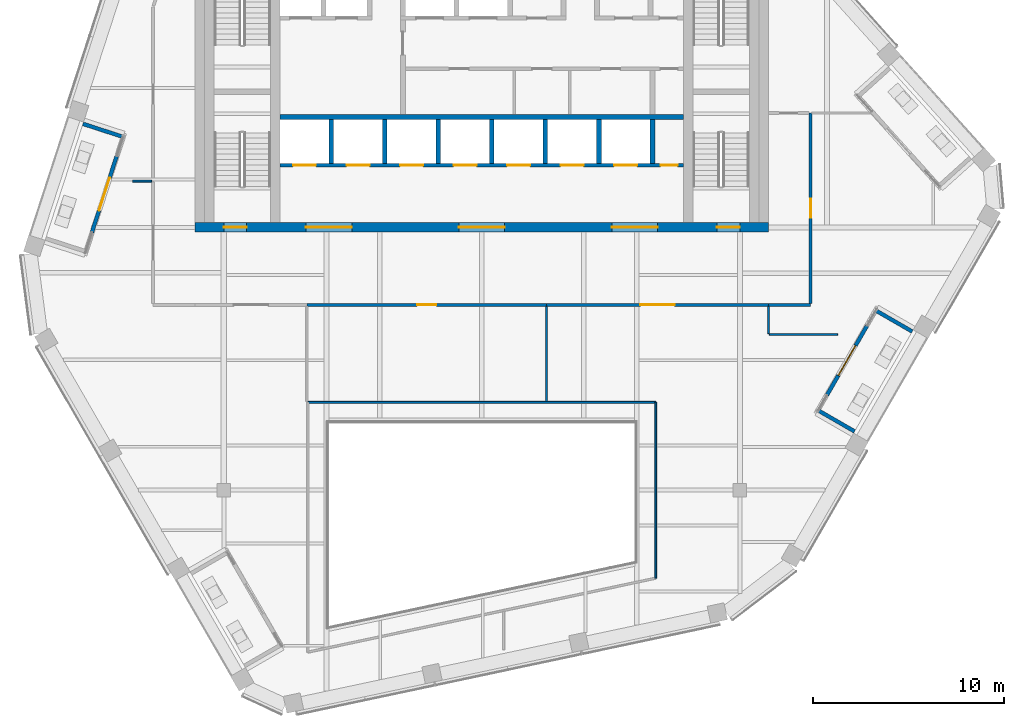
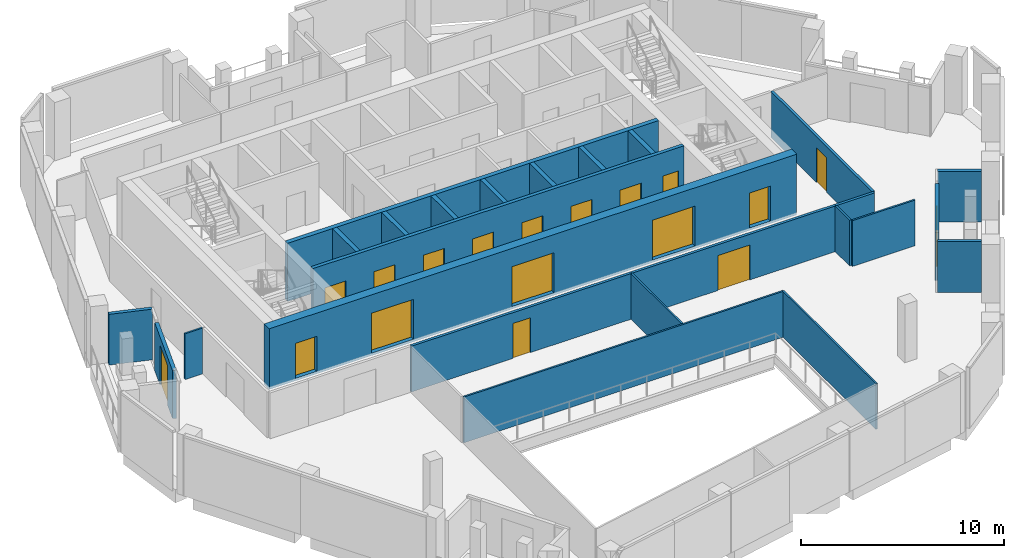
# One storey, part 11 of 20: 25 walls, 18 doors, 18 openings.
"""IFC4 building model written with IfcOpenShell, lengths in metres."""

import ifcopenshell
import ifcopenshell.guid

model = None  # the IFC model being written
_history = None  # IfcOwnerHistory: only IFC2X3 demands one
_inside = {}  # id of a spatial element -> (the spatial element, [elements in it])
_under = {}  # id of a project, library or spatial element -> (it, [spatial elements below it])
_declared = {}  # id of a project -> (the project, [libraries it declares])
_typed = {}  # id of a type object -> (the type object, [elements of that type])
_made_of = {}  # id of a material, layer set ... -> (it, [elements and type objects made of it])


def new_model(schema):
    """Start an empty IFC model of exactly this schema.

    Asked for "IFC4X3", IfcOpenShell would pick the latest addendum, in which some entities
    have other attributes; the version numbers below select the first issue.
    IFC2X3 requires an IfcOwnerHistory on every rooted entity: one is made here for all.
    """
    global model, _history
    if schema == "IFC4X3":
        model = ifcopenshell.file(schema_version=(4, 3, 0, 0))
    else:
        model = ifcopenshell.file(schema=schema)
    _inside.clear()
    _under.clear()
    _declared.clear()
    _typed.clear()
    _made_of.clear()
    _history = None
    if model.schema == "IFC2X3":
        org = make("IfcOrganization", Name="unknown")
        user = make(
            "IfcPersonAndOrganization",
            ThePerson=make("IfcPerson", FamilyName="unknown"),
            TheOrganization=org,
        )
        app = make(
            "IfcApplication",
            ApplicationDeveloper=org,
            Version="unknown",
            ApplicationFullName="unknown",
            ApplicationIdentifier="unknown",
        )
        _history = make(
            "IfcOwnerHistory",
            OwningUser=user,
            OwningApplication=app,
            ChangeAction="ADDED",
            CreationDate=0,
        )
    return model


def make(cls, **values):
    """One entity of the class cls with the attributes given. An attribute that is None is left unset."""
    return model.create_entity(
        cls, **{name: value for name, value in values.items() if value is not None}
    )


def rooted(cls, **values):
    """An entity with a GlobalId (a new one), such as an element, a storey or a relation."""
    return make(cls, GlobalId=ifcopenshell.guid.new(), OwnerHistory=_history, **values)


def si_unit(unit_type, name, prefix=None):
    """IfcSIUnit, for example si_unit("LENGTHUNIT", "METRE", prefix="MILLI")."""
    return make("IfcSIUnit", UnitType=unit_type, Prefix=prefix, Name=name)


def assignment(units):
    """IfcUnitAssignment: the units of a project."""
    return None if units is None else make("IfcUnitAssignment", Units=units)


def point(xyz):
    """IfcCartesianPoint."""
    return None if xyz is None else make("IfcCartesianPoint", Coordinates=xyz)


def direction(xyz):
    """IfcDirection."""
    return None if xyz is None else make("IfcDirection", DirectionRatios=xyz)


def frame(location, z_axis=None, x_axis=None):
    """IfcAxis2Placement3D, a coordinate frame: its origin and axes. An axis left out is left unset."""
    return make(
        "IfcAxis2Placement3D",
        Location=point(location),
        Axis=direction(z_axis),
        RefDirection=direction(x_axis),
    )


def frame_2d(location, x_axis=None):
    """IfcAxis2Placement2D, a coordinate frame in the plane: its origin and x axis."""
    return make(
        "IfcAxis2Placement2D", Location=point(location), RefDirection=direction(x_axis)
    )


def origin():
    """The frame at (0, 0, 0) with its axes left unset."""
    return frame((0.0, 0.0, 0.0))


def place(relative_to, where):
    """IfcLocalPlacement: puts the frame where relative to a parent placement (None: the world)."""
    return make(
        "IfcLocalPlacement", PlacementRelTo=relative_to, RelativePlacement=where
    )


def context(
    kind, dimensions, precision=None, world=None, true_north=None, identifier=None
):
    """IfcGeometricRepresentationContext, for example the 3D "Model" context."""
    return make(
        "IfcGeometricRepresentationContext",
        ContextIdentifier=identifier,
        ContextType=kind,
        CoordinateSpaceDimension=dimensions,
        Precision=precision,
        WorldCoordinateSystem=world,
        TrueNorth=true_north,
    )


def subcontext(parent, identifier, kind, view, scale=None):
    """IfcGeometricRepresentationSubContext, for example "Body" below "Model"."""
    return make(
        "IfcGeometricRepresentationSubContext",
        ContextIdentifier=identifier,
        ContextType=kind,
        ParentContext=parent,
        TargetScale=scale,
        TargetView=view,
    )


def project(units=None, contexts=None):
    """IfcProject with its units and contexts."""
    return rooted(
        "IfcProject",
        Name="project",
        RepresentationContexts=contexts,
        UnitsInContext=assignment(units),
    )


def spatial(cls, under=None, at=None, **own):
    """A site, building, storey or space (cls), placed at a placement, below another one or the project."""
    s = rooted(cls, ObjectPlacement=at, **own)
    if under is not None:
        _under.setdefault(under.id(), (under, []))[1].append(s)
    return s


def profile(cls, at=None, kind="AREA", **sizes):
    """A parametric profile (cls). Its sizes go by their IFC names, for example OverallWidth=200.0."""
    return make(cls, ProfileType=kind, Position=at, **sizes)


def rectangle(**sizes):
    """IfcRectangleProfileDef."""
    return profile("IfcRectangleProfileDef", **sizes)


def extrude(swept, where, along, depth):
    """IfcExtrudedAreaSolid: the profile swept, set in the frame where, extruded along a direction by depth."""
    return make(
        "IfcExtrudedAreaSolid",
        SweptArea=swept,
        Position=where,
        ExtrudedDirection=direction(along),
        Depth=depth,
    )


def shape(context_of_items, identifier, shape_type, items):
    """IfcShapeRepresentation: the items that make up one representation, for example the "Body"."""
    return make(
        "IfcShapeRepresentation",
        ContextOfItems=context_of_items,
        RepresentationIdentifier=identifier,
        RepresentationType=shape_type,
        Items=items,
    )


def material(Name=None, Category=None):
    """IfcMaterial."""
    return make("IfcMaterial", Name=Name, Category=Category)


def layer(
    of_material, thickness, ventilated=None, Name=None, Category=None, Priority=None
):
    """IfcMaterialLayer: one layer of a wall or slab, of a material (None: an air gap)."""
    return make(
        "IfcMaterialLayer",
        Material=of_material,
        LayerThickness=thickness,
        IsVentilated=ventilated,
        Name=Name,
        Category=Category,
        Priority=Priority,
    )


def layer_set(layers, Name=None):
    """IfcMaterialLayerSet."""
    return make("IfcMaterialLayerSet", MaterialLayers=layers, LayerSetName=Name)


def made_of(thing, what):
    """Note that an element or type object is made of a material, layer set ...; save() writes the relation."""
    if what is not None:
        _made_of.setdefault(what.id(), (what, []))[1].append(thing)
    return thing


def type_object(cls, material=None, **own):
    """A type object (cls), such as IfcWallType, which elements share."""
    return made_of(rooted(cls, **own), material)


def element(
    cls,
    number,
    at=None,
    inside=None,
    cuts=None,
    type_object=None,
    material=None,
    context=None,
    identifier="Body",
    shape_type=None,
    held_by="IfcProductDefinitionShape",
    body=None,
    shapes=None,
    **own,
):
    """One element of the class cls, such as IfcWall. Its Tag is "e" and its number.

    at: its placement. inside: the storey or other place that contains it. cuts: it is an
    opening in that element (IfcRelVoidsElement). A single representation is given by context,
    identifier, shape_type and body (its items); several are given by shapes. held_by: the class
    of the entity that holds the representations. save() writes the other relations.
    """
    e = rooted(cls, Tag="e%d" % number, ObjectPlacement=at, **own)
    if body is not None:
        shapes = [shape(context, identifier, shape_type, body)]
    if shapes is not None:
        e.Representation = make(held_by, Representations=shapes)
    if inside is not None:
        _inside.setdefault(inside.id(), (inside, []))[1].append(e)
    if cuts is not None:
        rooted(
            "IfcRelVoidsElement", RelatingBuildingElement=cuts, RelatedOpeningElement=e
        )
    if type_object is not None:
        _typed.setdefault(type_object.id(), (type_object, []))[1].append(e)
    return made_of(e, material)


def fill(opening, filler):
    """IfcRelFillsElement: the door or window that sits in an opening."""
    return rooted(
        "IfcRelFillsElement",
        RelatingOpeningElement=opening,
        RelatedBuildingElement=filler,
    )


def aggregate(whole, parts):
    """IfcRelAggregates: a whole, such as a stair, and the parts it consists of."""
    return rooted("IfcRelAggregates", RelatingObject=whole, RelatedObjects=parts)


def save(model, path):
    """Write the relations noted so far, then the file.

    IfcRelAggregates (storeys below a building ...), IfcRelContainedInSpatialStructure (elements
    in a storey), IfcRelDefinesByType, IfcRelAssociatesMaterial and IfcRelDeclares: one each for
    every whole, place, type object, material and project.
    """
    for whole, parts in _under.values():
        aggregate(whole, parts)
    for where, things in _inside.values():
        rooted(
            "IfcRelContainedInSpatialStructure",
            RelatedElements=things,
            RelatingStructure=where,
        )
    for kind, things in _typed.values():
        rooted("IfcRelDefinesByType", RelatedObjects=things, RelatingType=kind)
    for what, things in _made_of.values():
        rooted("IfcRelAssociatesMaterial", RelatedObjects=things, RelatingMaterial=what)
    for by, libraries in _declared.values():
        rooted("IfcRelDeclares", RelatingContext=by, RelatedDefinitions=libraries)
    model.write(path)


model = new_model("IFC4")

# Units and contexts
model_context = context("Model", 3, precision=1e-05, world=origin(), true_north=direction((0.0, 1.0)))
body_context = subcontext(model_context, "Body", "Model", "MODEL_VIEW")
ifc_project = project(units=[si_unit("LENGTHUNIT", "METRE"), si_unit("AREAUNIT", "SQUARE_METRE"), si_unit("VOLUMEUNIT", "CUBIC_METRE"), si_unit("PLANEANGLEUNIT", "RADIAN"), si_unit("MASSUNIT", "GRAM", prefix="KILO")], contexts=[model_context])

# Site, building, storey
site_placement = place(None, origin())
site = spatial("IfcSite", under=ifc_project, at=site_placement, CompositionType="ELEMENT")
building_placement = place(site_placement, origin())
building = spatial("IfcBuilding", under=site, at=building_placement, Name="Isthmus Gate Tower", CompositionType="ELEMENT")
storey_placement = place(building_placement, frame((0.0, 0.0, 279.199951171875)))
storey = spatial("IfcBuildingStorey", under=building, at=storey_placement, Name="L71", CompositionType="ELEMENT", Elevation=279.199951171875)

# Walls
ifc_material_1 = material(Name="Fire-rated laminated glass in steel frame", Category="steel")
ifc_layer_1 = layer(ifc_material_1, 0.10009765625)
ifc_layer_set_1 = layer_set([ifc_layer_1], Name="ATRIUM SCREEN GLAZED WALL 100 120 MIN")
wall_type_1 = type_object("IfcWallType", Name="ATRIUM SCREEN GLAZED WALL 100 120 MIN", PredefinedType="PARTITIONING", material=ifc_layer_set_1)
wall_1_placement = place(storey_placement, frame((-9.10009765625, -8.89990234375, 0.0), z_axis=(0.0, 0.0, 1.0), x_axis=(1.0, 0.0, 0.0)))
element("IfcWall", 1, at=wall_1_placement, inside=storey, type_object=wall_type_1, Name="L71 atrium screen", PredefinedType="PARTITIONING", context=body_context, shape_type="SweptSolid", body=[
    extrude(rectangle(XDim=18.2001953125, YDim=0.10009765625, at=frame_2d((9.10009765625, 0.0))), origin(), (0.0, 0.0, 1.0), 2.750732421875),
])
wall_2_placement = place(storey_placement, frame((9.10009765625, -8.89990234375, 0.0), z_axis=(0.0, 0.0, 1.0), x_axis=(0.0, -1.0, 0.0)))
element("IfcWall", 2, at=wall_2_placement, inside=storey, type_object=wall_type_1, Name="L71 atrium screen", PredefinedType="PARTITIONING", context=body_context, shape_type="SweptSolid", body=[
    extrude(rectangle(XDim=9.200927734375, YDim=0.10009765625, at=frame_2d((4.6005859375, 0.0))), origin(), (0.0, 0.0, 1.0), 2.750732421875),
])

# Wall, opening, door
ifc_material_2 = material(Name="Gypsum board on steel studs, fire-rated", Category="steel")
ifc_layer_2 = layer(ifc_material_2, 0.14990234375)
ifc_layer_set_2 = layer_set([ifc_layer_2], Name="CORRIDOR WALL 150 60 MIN")
wall_type_2 = type_object("IfcWallType", Name="CORRIDOR WALL 150 60 MIN", PredefinedType="PARTITIONING", material=ifc_layer_set_2)
wall_3_placement = place(storey_placement, frame((3.385009765625, -3.800048828125, 0.0), z_axis=(0.0, 0.0, 1.0), x_axis=(-1.0, 0.0, 0.0)))
wall_3 = element("IfcWall", 3, at=wall_3_placement, inside=storey, type_object=wall_type_2, Name="L71 Corridor Wall 150 60 Min", PredefinedType="PARTITIONING", context=body_context, shape_type="SweptSolid", body=[
    extrude(rectangle(XDim=12.532958984375, YDim=0.14990234375, at=frame_2d((6.2666015625, 0.0))), origin(), (0.0, 0.0, 1.0), 2.750732421875),
])
opening_1_placement = place(wall_3_placement, frame((5.7666015625, 0.0, 0.0)))
opening_1 = element("IfcOpeningElement", 4, at=opening_1_placement, cuts=wall_3, Name="Opening DT-T6B-07", PredefinedType="OPENING", context=body_context, shape_type="SweptSolid", body=[
    extrude(rectangle(XDim=1.0, YDim=2.10009765625, at=frame_2d((0.5, 1.050048828125))), frame((0.0, 0.0849609375, 0.0), z_axis=(0.0, -1.0, 0.0), x_axis=(1.0, 0.0, 0.0)), (0.0, 0.0, 1.0), 0.169921875),
])
ifc_material_3 = material(Name="Solid core timber door leaf, fire-rated", Category="wood")
door_type_1 = type_object("IfcDoorType", Name="FIRE DOOR ROOM 1000 X 2100 60 MIN", OperationType="SINGLE_SWING_LEFT", PredefinedType="DOOR", material=ifc_material_3)
door_1_placement = place(opening_1_placement, origin())
door_1 = element("IfcDoor", 5, at=door_1_placement, inside=storey, type_object=door_type_1, Name="L71 room door", OperationType="SINGLE_SWING_RIGHT", OverallHeight=2.10009765625, OverallWidth=1.0, PredefinedType="DOOR", context=body_context, shape_type="SweptSolid", body=[
    extrude(rectangle(XDim=1.0, YDim=2.10009765625, at=frame_2d((0.5, 1.050048828125))), frame((0.0, 0.02490234375, 0.0), z_axis=(0.0, -1.0, 0.0), x_axis=(1.0, 0.0, 0.0)), (0.0, 0.0, 1.0), 0.050048828125),
])
fill(opening_1, door_1)

wall_4_placement = place(storey_placement, frame((15.0, -3.800048828125, 0.0), z_axis=(0.0, 0.0, 1.0), x_axis=(-1.0, 0.0, 0.0)))
wall_4 = element("IfcWall", 6, at=wall_4_placement, inside=storey, type_object=wall_type_2, Name="L71 Corridor Wall 150 60 Min", PredefinedType="PARTITIONING", context=body_context, shape_type="SweptSolid", body=[
    extrude(rectangle(XDim=11.614990234375, YDim=0.14990234375, at=frame_2d((5.8076171875, 0.0))), origin(), (0.0, 0.0, 1.0), 2.750732421875),
])
opening_2_placement = place(wall_4_placement, frame((4.907470703125, 0.0, 0.0)))
opening_2 = element("IfcOpeningElement", 7, at=opening_2_placement, cuts=wall_4, Name="Opening DT-T6B-10", PredefinedType="OPENING", context=body_context, shape_type="SweptSolid", body=[
    extrude(rectangle(XDim=1.800048828125, YDim=2.10009765625, at=frame_2d((0.89990234375, 1.050048828125))), frame((0.0, 0.0849609375, 0.0), z_axis=(0.0, -1.0, 0.0), x_axis=(1.0, 0.0, 0.0)), (0.0, 0.0, 1.0), 0.169921875),
])
ifc_material_4 = material(Name="Solid core timber door leaf, fire-rated", Category="wood")
door_type_2 = type_object("IfcDoorType", Name="FIRE DOOR ROOM 1800 X 2100 60 MIN", OperationType="DOUBLE_DOOR_DOUBLE_SWING", PredefinedType="DOOR", material=ifc_material_4)
door_2_placement = place(opening_2_placement, origin())
door_2 = element("IfcDoor", 8, at=door_2_placement, inside=storey, type_object=door_type_2, Name="L71 room door", OperationType="DOUBLE_DOOR_DOUBLE_SWING", OverallHeight=2.10009765625, OverallWidth=1.800048828125, PredefinedType="DOOR", context=body_context, shape_type="SweptSolid", body=[
    extrude(rectangle(XDim=1.800048828125, YDim=2.10009765625, at=frame_2d((0.89990234375, 1.050048828125))), frame((0.0, 0.02490234375, 0.0), z_axis=(0.0, -1.0, 0.0), x_axis=(1.0, 0.0, 0.0)), (0.0, 0.0, 1.0), 0.050048828125),
])
fill(opening_2, door_2)

# Wall
wall_5_placement = place(storey_placement, frame((17.199951171875, -3.800048828125, 0.0), z_axis=(0.0, 0.0, 1.0), x_axis=(-1.0, 0.0, 0.0)))
element("IfcWall", 9, at=wall_5_placement, inside=storey, type_object=wall_type_2, Name="L71 Corridor Wall 150 60 Min", PredefinedType="PARTITIONING", context=body_context, shape_type="SweptSolid", body=[
    extrude(rectangle(XDim=2.199951171875, YDim=0.14990234375, at=frame_2d((1.10009765625, 0.0))), origin(), (0.0, 0.0, 1.0), 2.750732421875),
])

# Wall, opening, door
wall_6_placement = place(storey_placement, frame((17.199951171875, 6.235107421875, 0.0), z_axis=(0.0, 0.0, 1.0), x_axis=(0.0, -1.0, 0.0)))
wall_6 = element("IfcWall", 10, at=wall_6_placement, inside=storey, type_object=wall_type_2, Name="L71 Corridor Wall 150 60 Min", PredefinedType="PARTITIONING", context=body_context, shape_type="SweptSolid", body=[
    extrude(rectangle(XDim=9.960205078125, YDim=0.14990234375, at=frame_2d((4.97998046875, 0.0))), origin(), (0.0, 0.0, 1.0), 2.750732421875),
])
opening_3_placement = place(wall_6_placement, frame((4.47998046875, 0.0, 0.0)))
opening_3 = element("IfcOpeningElement", 11, at=opening_3_placement, cuts=wall_6, Name="Opening DT-T6B-06", PredefinedType="OPENING", context=body_context, shape_type="SweptSolid", body=[
    extrude(rectangle(XDim=1.0, YDim=2.10009765625, at=frame_2d((0.5, 1.050048828125))), frame((0.0, 0.0849609375, 0.0), z_axis=(0.0, -1.0, 0.0), x_axis=(1.0, 0.0, 0.0)), (0.0, 0.0, 1.0), 0.169921875),
])
door_3_placement = place(opening_3_placement, origin())
door_3 = element("IfcDoor", 12, at=door_3_placement, inside=storey, type_object=door_type_1, Name="L71 room door", OperationType="SINGLE_SWING_RIGHT", OverallHeight=2.10009765625, OverallWidth=1.0, PredefinedType="DOOR", context=body_context, shape_type="SweptSolid", body=[
    extrude(rectangle(XDim=1.0, YDim=2.10009765625, at=frame_2d((0.5, 1.050048828125))), frame((0.0, 0.02490234375, 0.0), z_axis=(0.0, -1.0, 0.0), x_axis=(1.0, 0.0, 0.0)), (0.0, 0.0, 1.0), 0.050048828125),
])
fill(opening_3, door_3)

ifc_material_5 = material(Name="Precast concrete C40/50", Category="concrete")
ifc_layer_3 = layer(ifc_material_5, 0.199951171875)
ifc_layer_set_3 = layer_set([ifc_layer_3], Name="LOGGIA WALL 200")
wall_type_3 = type_object("IfcWallType", Name="LOGGIA WALL 200", PredefinedType="SOLIDWALL", material=ifc_layer_set_3)
wall_7_placement = place(storey_placement, frame((-19.10009765625, 3.987548828125, 0.0), z_axis=(0.0, 0.0, 1.0), x_axis=(-0.30901640812, -0.951056706781, 0.0)))
wall_7 = element("IfcWall", 13, at=wall_7_placement, inside=storey, type_object=wall_type_3, Name="LOGGIA BACK WALL", PredefinedType="SOLIDWALL", context=body_context, shape_type="SweptSolid", body=[
    extrude(rectangle(XDim=4.199951171875, YDim=0.199951171875, at=frame_2d((2.10009765625, 0.0))), origin(), (0.0, 0.0, 1.0), 2.896728515625),
])
opening_4_placement = place(wall_7_placement, frame((1.199951171875, 0.0, 0.0)))
opening_4 = element("IfcOpeningElement", 14, at=opening_4_placement, cuts=wall_7, Name="Opening DE71-02", PredefinedType="OPENING", context=body_context, shape_type="SweptSolid", body=[
    extrude(rectangle(XDim=1.800048828125, YDim=2.39990234375, at=frame_2d((0.89990234375, 1.199951171875))), frame((0.0, 0.10986328125, 0.0), z_axis=(0.0, -1.0, 0.0), x_axis=(1.0, 0.0, 0.0)), (0.0, 0.0, 1.0), 0.219970703125),
])
ifc_material_6 = material(Name="Aluminium, pale champagne anodised, laminated glass", Category="aluminium")
door_type_3 = type_object("IfcDoorType", Name="LOGGIA DOOR SLIDING 1800 X 2400", OperationType="DOUBLE_DOOR_SLIDING", PredefinedType="DOOR", material=ifc_material_6)
door_4_placement = place(opening_4_placement, origin())
door_4 = element("IfcDoor", 15, at=door_4_placement, inside=storey, type_object=door_type_3, Name="DOOR DE71-02", OperationType="SINGLE_SWING_LEFT", OverallHeight=2.39990234375, OverallWidth=1.800048828125, PredefinedType="DOOR", context=body_context, shape_type="SweptSolid", body=[
    extrude(rectangle(XDim=1.800048828125, YDim=2.39990234375, at=frame_2d((0.89990234375, 1.199951171875))), frame((0.0, 0.02490234375, 0.0), z_axis=(0.0, -1.0, 0.0), x_axis=(1.0, 0.0, 0.0)), (0.0, 0.0, 1.0), 0.050048828125),
])
fill(opening_4, door_4)

# Wall
wall_8_placement = place(storey_placement, frame((-20.86669921875, 5.669189453125, 0.0), z_axis=(0.0, 0.0, 1.0), x_axis=(0.951059534302, -0.30900770575, 0.0)))
element("IfcWall", 16, at=wall_8_placement, inside=storey, type_object=wall_type_3, Name="LOGGIA SIDE WALL", PredefinedType="SOLIDWALL", context=body_context, shape_type="SweptSolid", body=[
    extrude(rectangle(XDim=2.183837890625, YDim=0.199951171875, at=frame_2d((1.091796875, 0.0))), origin(), (0.0, 0.0, 1.0), 3.050048828125),
])

# Wall, opening, door
wall_9_placement = place(storey_placement, frame((18.05517578125, -8.527587890625, 0.0), z_axis=(0.0, 0.0, 1.0), x_axis=(0.49998411664, 0.866034573852, 0.0)))
wall_9 = element("IfcWall", 17, at=wall_9_placement, inside=storey, type_object=wall_type_3, Name="LOGGIA BACK WALL", PredefinedType="SOLIDWALL", context=body_context, shape_type="SweptSolid", body=[
    extrude(rectangle(XDim=4.199951171875, YDim=0.199951171875, at=frame_2d((2.10009765625, 0.0))), origin(), (0.0, 0.0, 1.0), 2.89990234375),
])
opening_5_placement = place(wall_9_placement, frame((1.199951171875, 0.0, 0.0)))
opening_5 = element("IfcOpeningElement", 18, at=opening_5_placement, cuts=wall_9, Name="Opening DE71-04", PredefinedType="OPENING", context=body_context, shape_type="SweptSolid", body=[
    extrude(rectangle(XDim=1.800048828125, YDim=2.39990234375, at=frame_2d((0.89990234375, 1.199951171875))), frame((0.0, 0.10986328125, 0.0), z_axis=(0.0, -1.0, 0.0), x_axis=(1.0, 0.0, 0.0)), (0.0, 0.0, 1.0), 0.219970703125),
])
door_5_placement = place(opening_5_placement, origin())
door_5 = element("IfcDoor", 19, at=door_5_placement, inside=storey, type_object=door_type_3, Name="DOOR DE71-04", OperationType="SINGLE_SWING_LEFT", OverallHeight=2.39990234375, OverallWidth=1.800048828125, PredefinedType="DOOR", context=body_context, shape_type="SweptSolid", body=[
    extrude(rectangle(XDim=1.800048828125, YDim=2.39990234375, at=frame_2d((0.89990234375, 1.199951171875))), frame((0.0, 0.02490234375, 0.0), z_axis=(0.0, -1.0, 0.0), x_axis=(1.0, 0.0, 0.0)), (0.0, 0.0, 1.0), 0.050048828125),
])
fill(opening_5, door_5)

# Walls
for number, where, z_axis, x_axis, name in (
    (20, (19.501708984375, -10.422119140625, 0.0), (0.0, 0.0, 1.0), (-0.866012456841, 0.500022424093, 0.0), "LOGGIA SIDE WALL"),
    (21, (22.51904296875, -5.196044921875, 0.0), (0.0, 0.0, 1.0), (-0.866012456841, 0.500022424093, 0.0), "LOGGIA SIDE WALL"),
):
    element("IfcWall", number, at=place(storey_placement, frame(where, z_axis=z_axis, x_axis=x_axis)), inside=storey, type_object=wall_type_3, Name=name, PredefinedType="SOLIDWALL", context=body_context, shape_type="SweptSolid", body=[
        extrude(rectangle(XDim=2.18408203125, YDim=0.199951171875, at=frame_2d((1.092041015625, 0.0))), origin(), (0.0, 0.0, 1.0), 3.050048828125),
    ])

# Wall, openings, doors
ifc_material_7 = material(Name="Concrete f'c 50 MPa", Category="concrete")
ifc_layer_4 = layer(ifc_material_7, 0.5)
ifc_layer_set_4 = layer_set([ifc_layer_4], Name="RC CORE WALL 500 F'C 50")
wall_type_4 = type_object("IfcWallType", Name="RC CORE WALL 500 F'C 50", PredefinedType="SOLIDWALL", material=ifc_layer_set_4)
wall_10_placement = place(storey_placement, frame((-15.0, 0.25, -0.14990234375), z_axis=(0.0, 0.0, 1.0), x_axis=(1.0, 0.0, 0.0)))
wall_10 = element("IfcWall", 22, at=wall_10_placement, inside=storey, type_object=wall_type_4, Name="str-corewall-L71-S", PredefinedType="SOLIDWALL", context=body_context, shape_type="SweptSolid", body=[
    extrude(rectangle(XDim=30.0, YDim=0.5, at=frame_2d((15.0, 0.0))), origin(), (0.0, 0.0, 1.0), 3.64990234375),
])
opening_6_placement = place(wall_10_placement, frame((5.800048828125, 0.0, 0.14990234375)))
opening_6 = element("IfcOpeningElement", 23, at=opening_6_placement, cuts=wall_10, Name="Opening DC-A17-10", PredefinedType="OPENING", context=body_context, shape_type="SweptSolid", body=[
    extrude(rectangle(XDim=2.39990234375, YDim=2.39990234375, at=frame_2d((1.199951171875, 1.199951171875))), frame((0.0, 0.260009765625, 0.0), z_axis=(0.0, -1.0, 0.0), x_axis=(1.0, 0.0, 0.0)), (0.0, 0.0, 1.0), 0.52001953125),
])
opening_7_placement = place(wall_10_placement, frame((13.800048828125, 0.0, 0.14990234375)))
opening_7 = element("IfcOpeningElement", 24, at=opening_7_placement, cuts=wall_10, Name="Opening DC-A17-11", PredefinedType="OPENING", context=body_context, shape_type="SweptSolid", body=[
    extrude(rectangle(XDim=2.39990234375, YDim=2.39990234375, at=frame_2d((1.199951171875, 1.199951171875))), frame((0.0, 0.260009765625, 0.0), z_axis=(0.0, -1.0, 0.0), x_axis=(1.0, 0.0, 0.0)), (0.0, 0.0, 1.0), 0.52001953125),
])
opening_8_placement = place(wall_10_placement, frame((21.800048828125, 0.0, 0.14990234375)))
opening_8 = element("IfcOpeningElement", 25, at=opening_8_placement, cuts=wall_10, Name="Opening DC-A17-12", PredefinedType="OPENING", context=body_context, shape_type="SweptSolid", body=[
    extrude(rectangle(XDim=2.39990234375, YDim=2.39990234375, at=frame_2d((1.199951171875, 1.199951171875))), frame((0.0, 0.260009765625, 0.0), z_axis=(0.0, -1.0, 0.0), x_axis=(1.0, 0.0, 0.0)), (0.0, 0.0, 1.0), 0.52001953125),
])
opening_9_placement = place(wall_10_placement, frame((1.5, 0.0, 0.14990234375)))
opening_9 = element("IfcOpeningElement", 26, at=opening_9_placement, cuts=wall_10, Name="Opening DC-A17-17", PredefinedType="OPENING", context=body_context, shape_type="SweptSolid", body=[
    extrude(rectangle(XDim=1.199951171875, YDim=2.10009765625, at=frame_2d((0.60009765625, 1.050048828125))), frame((0.0, 0.260009765625, 0.0), z_axis=(0.0, -1.0, 0.0), x_axis=(1.0, 0.0, 0.0)), (0.0, 0.0, 1.0), 0.52001953125),
])
opening_10_placement = place(wall_10_placement, frame((27.300048828125, 0.0, 0.14990234375)))
opening_10 = element("IfcOpeningElement", 27, at=opening_10_placement, cuts=wall_10, Name="Opening DC-A17-18", PredefinedType="OPENING", context=body_context, shape_type="SweptSolid", body=[
    extrude(rectangle(XDim=1.199951171875, YDim=2.10009765625, at=frame_2d((0.60009765625, 1.050048828125))), frame((0.0, 0.260009765625, 0.0), z_axis=(0.0, -1.0, 0.0), x_axis=(1.0, 0.0, 0.0)), (0.0, 0.0, 1.0), 0.52001953125),
])
ifc_material_8 = material(Name="Laminated safety glass in steel frame, fire-rated", Category="steel")
door_type_4 = type_object("IfcDoorType", Name="LOBBY ENTRANCE FIRE DOOR 2400 X 2400 60 MIN", OperationType="DOUBLE_DOOR_DOUBLE_SWING", PredefinedType="DOOR", material=ifc_material_8)
door_6_placement = place(opening_6_placement, origin())
door_6 = element("IfcDoor", 28, at=door_6_placement, inside=storey, type_object=door_type_4, Name="Lobby Entrance PS-W", OperationType="DOUBLE_DOOR_DOUBLE_SWING", OverallHeight=2.39990234375, OverallWidth=2.39990234375, PredefinedType="DOOR", context=body_context, shape_type="SweptSolid", body=[
    extrude(rectangle(XDim=2.39990234375, YDim=2.39990234375, at=frame_2d((1.199951171875, 1.199951171875))), frame((0.0, 0.02490234375, 0.0), z_axis=(0.0, -1.0, 0.0), x_axis=(1.0, 0.0, 0.0)), (0.0, 0.0, 1.0), 0.050048828125),
])
fill(opening_6, door_6)
door_7_placement = place(opening_7_placement, origin())
door_7 = element("IfcDoor", 29, at=door_7_placement, inside=storey, type_object=door_type_4, Name="Lobby Entrance PS-C", OperationType="DOUBLE_DOOR_DOUBLE_SWING", OverallHeight=2.39990234375, OverallWidth=2.39990234375, PredefinedType="DOOR", context=body_context, shape_type="SweptSolid", body=[
    extrude(rectangle(XDim=2.39990234375, YDim=2.39990234375, at=frame_2d((1.199951171875, 1.199951171875))), frame((0.0, 0.02490234375, 0.0), z_axis=(0.0, -1.0, 0.0), x_axis=(1.0, 0.0, 0.0)), (0.0, 0.0, 1.0), 0.050048828125),
])
fill(opening_7, door_7)
door_8_placement = place(opening_8_placement, origin())
door_8 = element("IfcDoor", 30, at=door_8_placement, inside=storey, type_object=door_type_4, Name="Lobby Entrance PS-E", OperationType="DOUBLE_DOOR_DOUBLE_SWING", OverallHeight=2.39990234375, OverallWidth=2.39990234375, PredefinedType="DOOR", context=body_context, shape_type="SweptSolid", body=[
    extrude(rectangle(XDim=2.39990234375, YDim=2.39990234375, at=frame_2d((1.199951171875, 1.199951171875))), frame((0.0, 0.02490234375, 0.0), z_axis=(0.0, -1.0, 0.0), x_axis=(1.0, 0.0, 0.0)), (0.0, 0.0, 1.0), 0.050048828125),
])
fill(opening_8, door_8)
ifc_material_9 = material(Name="Steel door leaf, fire-rated", Category="steel")
door_type_5 = type_object("IfcDoorType", Name="STAIR FIRE DOOR 1200 X 2100 90 MIN", OperationType="SINGLE_SWING_LEFT", PredefinedType="DOOR", material=ifc_material_9)
door_9_placement = place(opening_9_placement, origin())
door_9 = element("IfcDoor", 31, at=door_9_placement, inside=storey, type_object=door_type_5, Name="Exit Stair 7 Door", OperationType="SINGLE_SWING_LEFT", OverallHeight=2.10009765625, OverallWidth=1.199951171875, PredefinedType="DOOR", context=body_context, shape_type="SweptSolid", body=[
    extrude(rectangle(XDim=1.199951171875, YDim=2.10009765625, at=frame_2d((0.60009765625, 1.050048828125))), frame((0.0, 0.02490234375, 0.0), z_axis=(0.0, -1.0, 0.0), x_axis=(1.0, 0.0, 0.0)), (0.0, 0.0, 1.0), 0.050048828125),
])
fill(opening_9, door_9)
door_10_placement = place(opening_10_placement, origin())
door_10 = element("IfcDoor", 32, at=door_10_placement, inside=storey, type_object=door_type_5, Name="Exit Stair 8 Door", OperationType="SINGLE_SWING_RIGHT", OverallHeight=2.10009765625, OverallWidth=1.199951171875, PredefinedType="DOOR", context=body_context, shape_type="SweptSolid", body=[
    extrude(rectangle(XDim=1.199951171875, YDim=2.10009765625, at=frame_2d((0.60009765625, 1.050048828125))), frame((0.0, 0.02490234375, 0.0), z_axis=(0.0, -1.0, 0.0), x_axis=(1.0, 0.0, 0.0)), (0.0, 0.0, 1.0), 0.050048828125),
])
fill(opening_10, door_10)

# Walls
ifc_material_10 = material(Name="Gypsum board on steel studs, fire-rated", Category="steel")
ifc_layer_5 = layer(ifc_material_10, 0.10009765625)
ifc_layer_set_5 = layer_set([ifc_layer_5], Name="ROOM PARTITION 100 30 MIN")
wall_type_5 = type_object("IfcWallType", Name="ROOM PARTITION 100 30 MIN", PredefinedType="PARTITIONING", material=ifc_layer_set_5)
wall_11_placement = place(storey_placement, frame((-18.269287109375, 2.669921875, 0.0), z_axis=(0.0, 0.0, 1.0), x_axis=(1.0, 0.0, 0.0)))
element("IfcWall", 33, at=wall_11_placement, inside=storey, type_object=wall_type_5, Name="L71 Room Partition 100 30 Min", PredefinedType="PARTITIONING", context=body_context, shape_type="SweptSolid", body=[
    extrude(rectangle(XDim=0.994384765625, YDim=0.10009765625, at=frame_2d((0.4970703125, 0.0))), origin(), (0.0, 0.0, 1.0), 2.750732421875),
])
wall_12_placement = place(storey_placement, frame((15.050048828125, -5.35009765625, 0.0), z_axis=(0.0, 0.0, 1.0), x_axis=(1.0, 0.0, 0.0)))
element("IfcWall", 34, at=wall_12_placement, inside=storey, type_object=wall_type_5, Name="L71 Room Partition 100 30 Min", PredefinedType="PARTITIONING", context=body_context, shape_type="SweptSolid", body=[
    extrude(rectangle(XDim=3.5654296875, YDim=0.10009765625, at=frame_2d((1.78271484375, 0.0))), origin(), (0.0, 0.0, 1.0), 2.750732421875),
])
wall_13_placement = place(storey_placement, frame((3.385009765625, -8.85009765625, 0.0), z_axis=(0.0, 0.0, 1.0), x_axis=(0.0, 1.0, 0.0)))
element("IfcWall", 35, at=wall_13_placement, inside=storey, type_object=wall_type_5, Name="L71 Room Partition 100 30 Min", PredefinedType="PARTITIONING", context=body_context, shape_type="SweptSolid", body=[
    extrude(rectangle(XDim=4.97509765625, YDim=0.10009765625, at=frame_2d((2.487548828125, 0.0))), origin(), (0.0, 0.0, 1.0), 2.750732421875),
])
wall_14_placement = place(storey_placement, frame((15.0, -5.300048828125, 0.0), z_axis=(0.0, 0.0, 1.0), x_axis=(0.0, 1.0, 0.0)))
element("IfcWall", 36, at=wall_14_placement, inside=storey, type_object=wall_type_5, Name="L71 Room Partition 100 30 Min", PredefinedType="PARTITIONING", context=body_context, shape_type="SweptSolid", body=[
    extrude(rectangle(XDim=1.425048828125, YDim=0.10009765625, at=frame_2d((0.71240234375, 0.0))), origin(), (0.0, 0.0, 1.0), 2.750732421875),
])

# Wall, openings, doors
ifc_material_11 = material(Name="Fire-rated blockwork masonry, 15 MPa", Category="masonry")
ifc_layer_6 = layer(ifc_material_11, 0.199951171875)
ifc_layer_set_6 = layer_set([ifc_layer_6], Name="SHAFT FRONT WALL 200 120 MIN")
wall_type_6 = type_object("IfcWallType", Name="SHAFT FRONT WALL 200 120 MIN", PredefinedType="PARTITIONING", material=ifc_layer_set_6)
wall_15_placement = place(storey_placement, frame((-10.550048828125, 3.5, 0.0), z_axis=(0.0, 0.0, 1.0), x_axis=(1.0, 0.0, 0.0)))
wall_15 = element("IfcWall", 37, at=wall_15_placement, inside=storey, type_object=wall_type_6, Name="L71 SHAFT FRONT WALL 200 120 MIN", PredefinedType="PARTITIONING", context=body_context, shape_type="SweptSolid", body=[
    extrude(rectangle(XDim=21.10009765625, YDim=0.199951171875, at=frame_2d((10.550048828125, 0.0))), origin(), (0.0, 0.0, 1.0), 3.5),
])
opening_11_placement = place(wall_15_placement, frame((0.675048828125, 0.0, 0.0)))
opening_11 = element("IfcOpeningElement", 38, at=opening_11_placement, cuts=wall_15, Name="Opening LD-LC1", PredefinedType="OPENING", context=body_context, shape_type="SweptSolid", body=[
    extrude(rectangle(XDim=1.199951171875, YDim=2.10009765625, at=frame_2d((0.60009765625, 1.050048828125))), frame((0.0, 0.10986328125, 0.0), z_axis=(0.0, -1.0, 0.0), x_axis=(1.0, 0.0, 0.0)), (0.0, 0.0, 1.0), 0.219970703125),
])
opening_12_placement = place(wall_15_placement, frame((3.47509765625, 0.0, 0.0)))
opening_12 = element("IfcOpeningElement", 39, at=opening_12_placement, cuts=wall_15, Name="Opening LD-LC2", PredefinedType="OPENING", context=body_context, shape_type="SweptSolid", body=[
    extrude(rectangle(XDim=1.199951171875, YDim=2.10009765625, at=frame_2d((0.60009765625, 1.050048828125))), frame((0.0, 0.10986328125, 0.0), z_axis=(0.0, -1.0, 0.0), x_axis=(1.0, 0.0, 0.0)), (0.0, 0.0, 1.0), 0.219970703125),
])
opening_13_placement = place(wall_15_placement, frame((6.27490234375, 0.0, 0.0)))
opening_13 = element("IfcOpeningElement", 40, at=opening_13_placement, cuts=wall_15, Name="Opening LD-LC3", PredefinedType="OPENING", context=body_context, shape_type="SweptSolid", body=[
    extrude(rectangle(XDim=1.199951171875, YDim=2.10009765625, at=frame_2d((0.60009765625, 1.050048828125))), frame((0.0, 0.10986328125, 0.0), z_axis=(0.0, -1.0, 0.0), x_axis=(1.0, 0.0, 0.0)), (0.0, 0.0, 1.0), 0.219970703125),
])
opening_14_placement = place(wall_15_placement, frame((9.074951171875, 0.0, 0.0)))
opening_14 = element("IfcOpeningElement", 41, at=opening_14_placement, cuts=wall_15, Name="Opening LD-LC4", PredefinedType="OPENING", context=body_context, shape_type="SweptSolid", body=[
    extrude(rectangle(XDim=1.199951171875, YDim=2.10009765625, at=frame_2d((0.60009765625, 1.050048828125))), frame((0.0, 0.10986328125, 0.0), z_axis=(0.0, -1.0, 0.0), x_axis=(1.0, 0.0, 0.0)), (0.0, 0.0, 1.0), 0.219970703125),
])
opening_15_placement = place(wall_15_placement, frame((11.875, 0.0, 0.0)))
opening_15 = element("IfcOpeningElement", 42, at=opening_15_placement, cuts=wall_15, Name="Opening LD-LC5", PredefinedType="OPENING", context=body_context, shape_type="SweptSolid", body=[
    extrude(rectangle(XDim=1.199951171875, YDim=2.10009765625, at=frame_2d((0.60009765625, 1.050048828125))), frame((0.0, 0.10986328125, 0.0), z_axis=(0.0, -1.0, 0.0), x_axis=(1.0, 0.0, 0.0)), (0.0, 0.0, 1.0), 0.219970703125),
])
opening_16_placement = place(wall_15_placement, frame((14.675048828125, 0.0, 0.0)))
opening_16 = element("IfcOpeningElement", 43, at=opening_16_placement, cuts=wall_15, Name="Opening LD-LC6", PredefinedType="OPENING", context=body_context, shape_type="SweptSolid", body=[
    extrude(rectangle(XDim=1.199951171875, YDim=2.10009765625, at=frame_2d((0.60009765625, 1.050048828125))), frame((0.0, 0.10986328125, 0.0), z_axis=(0.0, -1.0, 0.0), x_axis=(1.0, 0.0, 0.0)), (0.0, 0.0, 1.0), 0.219970703125),
])
opening_17_placement = place(wall_15_placement, frame((17.47509765625, 0.0, 0.0)))
opening_17 = element("IfcOpeningElement", 44, at=opening_17_placement, cuts=wall_15, Name="Opening LD-LC7", PredefinedType="OPENING", context=body_context, shape_type="SweptSolid", body=[
    extrude(rectangle(XDim=1.199951171875, YDim=2.10009765625, at=frame_2d((0.60009765625, 1.050048828125))), frame((0.0, 0.10986328125, 0.0), z_axis=(0.0, -1.0, 0.0), x_axis=(1.0, 0.0, 0.0)), (0.0, 0.0, 1.0), 0.219970703125),
])
opening_18_placement = place(wall_15_placement, frame((19.89990234375, 0.0, 0.0)))
opening_18 = element("IfcOpeningElement", 45, at=opening_18_placement, cuts=wall_15, Name="Opening DC-A17-02", PredefinedType="OPENING", context=body_context, shape_type="SweptSolid", body=[
    extrude(rectangle(XDim=0.89990234375, YDim=2.10009765625, at=frame_2d((0.449951171875, 1.050048828125))), frame((0.0, 0.10986328125, 0.0), z_axis=(0.0, -1.0, 0.0), x_axis=(1.0, 0.0, 0.0)), (0.0, 0.0, 1.0), 0.219970703125),
])
ifc_material_12 = material(Name="Stainless steel sliding leaf", Category="steel")
door_type_6 = type_object("IfcDoorType", Name="LIFT LANDING FIRE DOOR 1200 X 2100 90 MIN", OperationType="DOUBLE_DOOR_SLIDING", PredefinedType="DOOR", material=ifc_material_12)
door_11_placement = place(opening_11_placement, origin())
door_11 = element("IfcDoor", 46, at=door_11_placement, inside=storey, type_object=door_type_6, Name="Lift Landing Door LC1", OperationType="DOUBLE_DOOR_SLIDING", OverallHeight=2.10009765625, OverallWidth=1.199951171875, PredefinedType="DOOR", context=body_context, shape_type="SweptSolid", body=[
    extrude(rectangle(XDim=1.199951171875, YDim=2.10009765625, at=frame_2d((0.60009765625, 1.050048828125))), frame((0.0, 0.02490234375, 0.0), z_axis=(0.0, -1.0, 0.0), x_axis=(1.0, 0.0, 0.0)), (0.0, 0.0, 1.0), 0.050048828125),
])
fill(opening_11, door_11)
door_12_placement = place(opening_12_placement, origin())
door_12 = element("IfcDoor", 47, at=door_12_placement, inside=storey, type_object=door_type_6, Name="Lift Landing Door LC2", OperationType="DOUBLE_DOOR_SLIDING", OverallHeight=2.10009765625, OverallWidth=1.199951171875, PredefinedType="DOOR", context=body_context, shape_type="SweptSolid", body=[
    extrude(rectangle(XDim=1.199951171875, YDim=2.10009765625, at=frame_2d((0.60009765625, 1.050048828125))), frame((0.0, 0.02490234375, 0.0), z_axis=(0.0, -1.0, 0.0), x_axis=(1.0, 0.0, 0.0)), (0.0, 0.0, 1.0), 0.050048828125),
])
fill(opening_12, door_12)
door_13_placement = place(opening_13_placement, origin())
door_13 = element("IfcDoor", 48, at=door_13_placement, inside=storey, type_object=door_type_6, Name="Lift Landing Door LC3", OperationType="DOUBLE_DOOR_SLIDING", OverallHeight=2.10009765625, OverallWidth=1.199951171875, PredefinedType="DOOR", context=body_context, shape_type="SweptSolid", body=[
    extrude(rectangle(XDim=1.199951171875, YDim=2.10009765625, at=frame_2d((0.60009765625, 1.050048828125))), frame((0.0, 0.02490234375, 0.0), z_axis=(0.0, -1.0, 0.0), x_axis=(1.0, 0.0, 0.0)), (0.0, 0.0, 1.0), 0.050048828125),
])
fill(opening_13, door_13)
door_14_placement = place(opening_14_placement, origin())
door_14 = element("IfcDoor", 49, at=door_14_placement, inside=storey, type_object=door_type_6, Name="Lift Landing Door LC4", OperationType="DOUBLE_DOOR_SLIDING", OverallHeight=2.10009765625, OverallWidth=1.199951171875, PredefinedType="DOOR", context=body_context, shape_type="SweptSolid", body=[
    extrude(rectangle(XDim=1.199951171875, YDim=2.10009765625, at=frame_2d((0.60009765625, 1.050048828125))), frame((0.0, 0.02490234375, 0.0), z_axis=(0.0, -1.0, 0.0), x_axis=(1.0, 0.0, 0.0)), (0.0, 0.0, 1.0), 0.050048828125),
])
fill(opening_14, door_14)
door_15_placement = place(opening_15_placement, origin())
door_15 = element("IfcDoor", 50, at=door_15_placement, inside=storey, type_object=door_type_6, Name="Lift Landing Door LC5", OperationType="DOUBLE_DOOR_SLIDING", OverallHeight=2.10009765625, OverallWidth=1.199951171875, PredefinedType="DOOR", context=body_context, shape_type="SweptSolid", body=[
    extrude(rectangle(XDim=1.199951171875, YDim=2.10009765625, at=frame_2d((0.60009765625, 1.050048828125))), frame((0.0, 0.02490234375, 0.0), z_axis=(0.0, -1.0, 0.0), x_axis=(1.0, 0.0, 0.0)), (0.0, 0.0, 1.0), 0.050048828125),
])
fill(opening_15, door_15)
door_16_placement = place(opening_16_placement, origin())
door_16 = element("IfcDoor", 51, at=door_16_placement, inside=storey, type_object=door_type_6, Name="Lift Landing Door LC6", OperationType="DOUBLE_DOOR_SLIDING", OverallHeight=2.10009765625, OverallWidth=1.199951171875, PredefinedType="DOOR", context=body_context, shape_type="SweptSolid", body=[
    extrude(rectangle(XDim=1.199951171875, YDim=2.10009765625, at=frame_2d((0.60009765625, 1.050048828125))), frame((0.0, 0.02490234375, 0.0), z_axis=(0.0, -1.0, 0.0), x_axis=(1.0, 0.0, 0.0)), (0.0, 0.0, 1.0), 0.050048828125),
])
fill(opening_16, door_16)
door_17_placement = place(opening_17_placement, origin())
door_17 = element("IfcDoor", 52, at=door_17_placement, inside=storey, type_object=door_type_6, Name="Lift Landing Door LC7", OperationType="DOUBLE_DOOR_SLIDING", OverallHeight=2.10009765625, OverallWidth=1.199951171875, PredefinedType="DOOR", context=body_context, shape_type="SweptSolid", body=[
    extrude(rectangle(XDim=1.199951171875, YDim=2.10009765625, at=frame_2d((0.60009765625, 1.050048828125))), frame((0.0, 0.02490234375, 0.0), z_axis=(0.0, -1.0, 0.0), x_axis=(1.0, 0.0, 0.0)), (0.0, 0.0, 1.0), 0.050048828125),
])
fill(opening_17, door_17)
ifc_material_13 = material(Name="Steel door leaf, fire-rated", Category="steel")
door_type_7 = type_object("IfcDoorType", Name="RISER FIRE DOOR 900 X 2100 90 MIN", OperationType="SINGLE_SWING_LEFT", PredefinedType="DOOR", material=ifc_material_13)
door_18_placement = place(opening_18_placement, origin())
door_18 = element("IfcDoor", 53, at=door_18_placement, inside=storey, type_object=door_type_7, Name="Riser Door", OperationType="SINGLE_SWING_RIGHT", OverallHeight=2.10009765625, OverallWidth=0.89990234375, PredefinedType="DOOR", context=body_context, shape_type="SweptSolid", body=[
    extrude(rectangle(XDim=0.89990234375, YDim=2.10009765625, at=frame_2d((0.449951171875, 1.050048828125))), frame((0.0, 0.02490234375, 0.0), z_axis=(0.0, -1.0, 0.0), x_axis=(1.0, 0.0, 0.0)), (0.0, 0.0, 1.0), 0.050048828125),
])
fill(opening_18, door_18)

# Walls
ifc_material_14 = material(Name="Fire-rated blockwork masonry, 15 MPa", Category="masonry")
ifc_layer_7 = layer(ifc_material_14, 0.25)
ifc_layer_set_7 = layer_set([ifc_layer_7], Name="SHAFT WALL 250 120 MIN")
wall_type_7 = type_object("IfcWallType", Name="SHAFT WALL 250 120 MIN", PredefinedType="PARTITIONING", material=ifc_layer_set_7)
wall_16_placement = place(storey_placement, frame((-10.550048828125, 6.02490234375, 0.0), z_axis=(0.0, 0.0, 1.0), x_axis=(1.0, 0.0, 0.0)))
element("IfcWall", 54, at=wall_16_placement, inside=storey, type_object=wall_type_7, Name="L71 SHAFT WALL 250 120 MIN", PredefinedType="PARTITIONING", context=body_context, shape_type="SweptSolid", body=[
    extrude(rectangle(XDim=21.10009765625, YDim=0.25, at=frame_2d((10.550048828125, 0.0))), origin(), (0.0, 0.0, 1.0), 3.5),
])
for number, where, z_axis, x_axis, name in (
    (55, (-7.875, 3.60009765625, 0.0), (0.0, 0.0, 1.0), (0.0, 1.0, 0.0), "L71 SHAFT WALL 250 120 MIN"),
    (56, (-5.074951171875, 3.60009765625, 0.0), (0.0, 0.0, 1.0), (0.0, 1.0, 0.0), "L71 SHAFT WALL 250 120 MIN"),
    (57, (-2.27490234375, 3.60009765625, 0.0), (0.0, 0.0, 1.0), (0.0, 1.0, 0.0), "L71 SHAFT WALL 250 120 MIN"),
    (58, (0.52490234375, 3.60009765625, 0.0), (0.0, 0.0, 1.0), (0.0, 1.0, 0.0), "L71 SHAFT WALL 250 120 MIN"),
    (59, (3.324951171875, 3.60009765625, 0.0), (0.0, 0.0, 1.0), (0.0, 1.0, 0.0), "L71 SHAFT WALL 250 120 MIN"),
    (60, (6.125, 3.60009765625, 0.0), (0.0, 0.0, 1.0), (0.0, 1.0, 0.0), "L71 SHAFT WALL 250 120 MIN"),
    (61, (8.925048828125, 3.60009765625, 0.0), (0.0, 0.0, 1.0), (0.0, 1.0, 0.0), "L71 SHAFT WALL 250 120 MIN"),
):
    element("IfcWall", number, at=place(storey_placement, frame(where, z_axis=z_axis, x_axis=x_axis)), inside=storey, type_object=wall_type_7, Name=name, PredefinedType="PARTITIONING", context=body_context, shape_type="SweptSolid", body=[
        extrude(rectangle(XDim=2.2998046875, YDim=0.25, at=frame_2d((1.14990234375, 0.0))), origin(), (0.0, 0.0, 1.0), 3.5),
    ])

save(model, "model.ifc")
